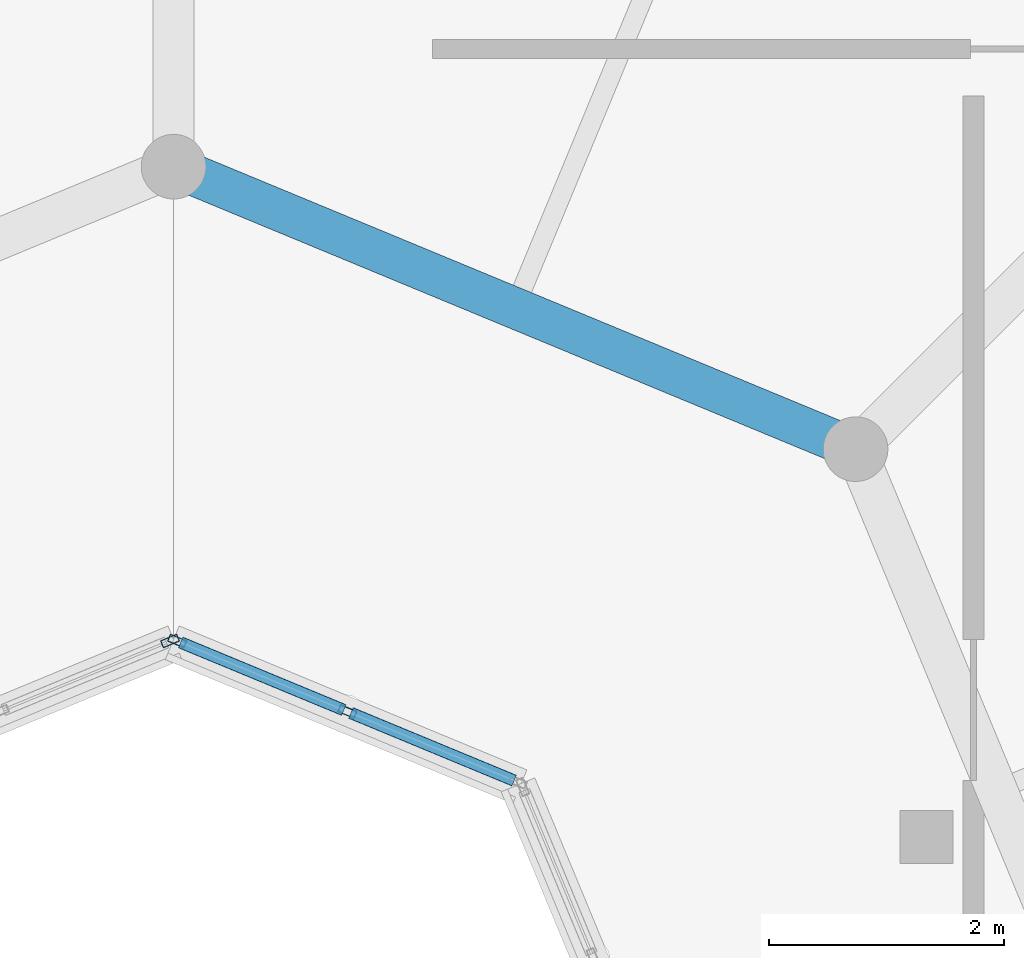
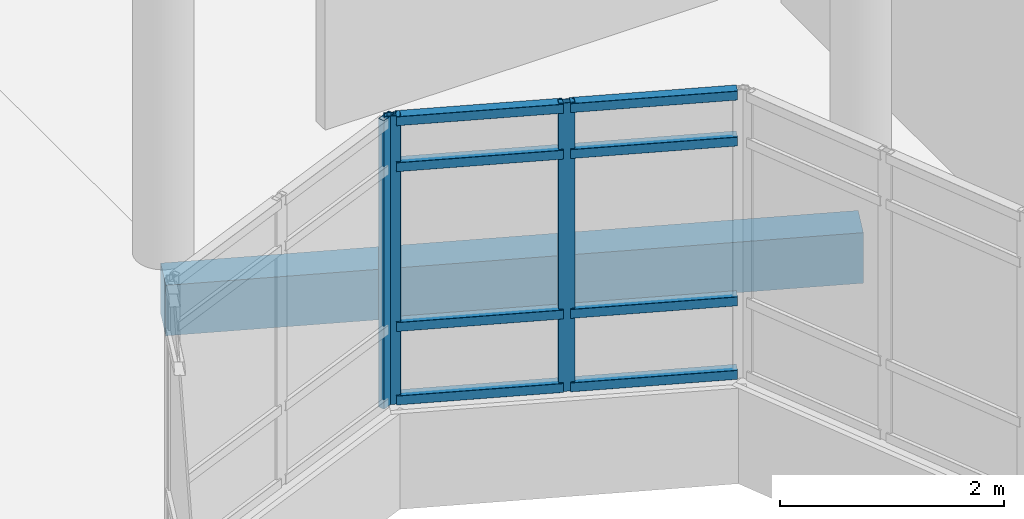
# One storey, part 82 of 128: 11 members, 1 beam, 2 elements without a shape of their own.
"""IFC4 building model written with IfcOpenShell, lengths in metres."""

from ifc_helpers import new_model, si_unit, direction, frame, origin, origin_2d, place, context, subcontext, project, spatial, rectangle, hollow_rectangle, extrude, material, layer, layer_set, material_profile, profile_set, type_object, element, aggregate, save


model = new_model("IFC4")

# Units and contexts
model_context = context("Model", 3, precision=1e-05, world=origin(), true_north=direction((0.0, 1.0)))
body_context = subcontext(model_context, "Body", "Model", "MODEL_VIEW")
ifc_project = project(units=[si_unit("LENGTHUNIT", "METRE"), si_unit("AREAUNIT", "SQUARE_METRE"), si_unit("VOLUMEUNIT", "CUBIC_METRE"), si_unit("PLANEANGLEUNIT", "RADIAN"), si_unit("MASSUNIT", "GRAM", prefix="KILO")], contexts=[model_context])

# Site, building, storey
site_placement = place(None, origin())
site = spatial("IfcSite", under=ifc_project, at=site_placement, CompositionType="ELEMENT")
building_placement = place(site_placement, origin())
building = spatial("IfcBuilding", under=site, at=building_placement, Name="Vespera Passage Community Centre", CompositionType="ELEMENT")
storey_placement = place(building_placement, frame((0.0, 0.0, 4.5)))
storey = spatial("IfcBuildingStorey", under=building, at=storey_placement, Name="L01", CompositionType="ELEMENT", Elevation=4.5)

# Beam
ifc_material_1 = material(Name="Concrete f'c 35 MPa", Category="concrete")
ifc_material_profile_1 = material_profile(ifc_material_1, rectangle(XDim=0.35009765625, YDim=0.550048828125, at=origin_2d()), Name="RC350X550")
ifc_profile_set_1 = profile_set([ifc_material_profile_1], Name="Concrete f'c 35 MPa")
beam_type = type_object("IfcBeamType", Name="BM-J-350X550", PredefinedType="JOIST", material=ifc_profile_set_1)
beam_placement = place(storey_placement, frame((146.79833984375, 30.79833984375, -0.514892578125), z_axis=(-0.92388740073, 0.382664436252, 0.0), x_axis=(-0.382664436252, -0.92388740073, 0.0)))
element("IfcBeam", 1, at=beam_placement, inside=storey, type_object=beam_type, Name="V3 L01 Inner Ring Beam 2", PredefinedType="JOIST", context=body_context, shape_type="SweptSolid", body=[
    extrude(rectangle(XDim=0.35009765625, YDim=0.550048828125, at=origin_2d()), origin(), (0.0, 0.0, 1.0), 6.276123046875),
])

# Curtain wall, members
ifc_material_2 = material(Name="Anodized aluminium 6063-T6", Category="aluminium")
ifc_layer = layer(ifc_material_2, 0.159912109375)
ifc_layer_set = layer_set([ifc_layer], Name="Anodized aluminium 6063-T6")
curtain_wall_type = type_object("IfcCurtainWallType", Name="CW-107E", PredefinedType="NOTDEFINED", material=ifc_layer_set)
curtain_wall_1_placement = place(storey_placement, origin())
curtain_wall_1 = element("IfcCurtainWall", 2, at=curtain_wall_1_placement, inside=storey, type_object=curtain_wall_type, Name="V3 L01 Inner Court Ribbon Curtain Wall 2", PredefinedType="NOTDEFINED")
ifc_material_3 = material(Name="Anodized aluminium 6063-T6", Category="aluminium")
ifc_material_profile_2 = material_profile(ifc_material_3, hollow_rectangle(XDim=0.06494140625, YDim=0.14990234375, WallThickness=0.00390625, InnerFilletRadius=0.001953125, OuterFilletRadius=0.00390625, at=origin_2d()), Name="ALU150X65X4")
ifc_profile_set_2 = profile_set([ifc_material_profile_2], Name="Anodized aluminium 6063-T6")
member_type_1 = type_object("IfcMemberType", Name="MB-CWM-150E", PredefinedType="MULLION", material=ifc_profile_set_2)
member_1_placement = place(storey_placement, frame((142.477783203125, 28.56787109375, 0.800048828125), z_axis=(0.0, 0.0, 1.0), x_axis=(-0.382685826549, -0.923878540804, 0.0)))
member_1 = element("IfcMember", 3, at=member_1_placement, type_object=member_type_1, Name="CW-107E mullion 2", PredefinedType="MULLION", context=body_context, shape_type="SweptSolid", body=[
    extrude(hollow_rectangle(XDim=0.06494140625, YDim=0.14990234375, WallThickness=0.00390625, InnerFilletRadius=0.001953125, OuterFilletRadius=0.00390625, at=origin_2d()), origin(), (0.0, 0.0, 1.0), 3.139892578125),
])
member_2_placement = place(storey_placement, frame((141.030029296875, 29.16748046875, 0.800048828125), z_axis=(0.0, 0.0, 1.0), x_axis=(-0.382685826549, -0.923878540804, 0.0)))
member_2 = element("IfcMember", 4, at=member_2_placement, type_object=member_type_1, Name="CW-107E mullion 3", PredefinedType="MULLION", context=body_context, shape_type="SweptSolid", body=[
    extrude(hollow_rectangle(XDim=0.06494140625, YDim=0.14990234375, WallThickness=0.00390625, InnerFilletRadius=0.001953125, OuterFilletRadius=0.00390625, at=origin_2d()), origin(), (0.0, 0.0, 1.0), 3.139892578125),
])

# Curtain wall, member
curtain_wall_2_placement = place(storey_placement, origin())
curtain_wall_2 = element("IfcCurtainWall", 5, at=curtain_wall_2_placement, inside=storey, type_object=curtain_wall_type, Name="V3 L01 Inner Court Ribbon Curtain Wall 3", PredefinedType="NOTDEFINED")
member_3_placement = place(storey_placement, frame((140.969970703125, 29.16748046875, 0.800048828125), z_axis=(0.0, 0.0, 1.0), x_axis=(0.382685826549, -0.923878540804, 0.0)))
member_3 = element("IfcMember", 6, at=member_3_placement, type_object=member_type_1, Name="CW-107E mullion 1", PredefinedType="MULLION", context=body_context, shape_type="SweptSolid", body=[
    extrude(hollow_rectangle(XDim=0.06494140625, YDim=0.14990234375, WallThickness=0.00390625, InnerFilletRadius=0.001953125, OuterFilletRadius=0.00390625, at=origin_2d()), origin(), (0.0, 0.0, 1.0), 3.139892578125),
])
aggregate(curtain_wall_2, [member_3])

# Member
ifc_material_4 = material(Name="Anodized aluminium 6063-T6", Category="aluminium")
ifc_material_profile_3 = material_profile(ifc_material_4, hollow_rectangle(XDim=0.10009765625, YDim=0.10009765625, WallThickness=0.00390625, InnerFilletRadius=0.001953125, OuterFilletRadius=0.00390625, at=origin_2d()), Name="ALU100X100X4")
ifc_profile_set_3 = profile_set([ifc_material_profile_3], Name="Anodized aluminium 6063-T6")
member_type_2 = type_object("IfcMemberType", Name="MB-CWT-100E", PredefinedType="USERDEFINED", material=ifc_profile_set_3)
member_4_placement = place(storey_placement, frame((143.895751953125, 27.98046875, 0.85009765625), z_axis=(-0.923868276622, 0.382710605355, 0.0), x_axis=(-0.382710605355, -0.923868276622, 0.0)))
member_4 = element("IfcMember", 7, at=member_4_placement, type_object=member_type_2, Name="CW-107E transom 1.1", ObjectType="TRANSOM", PredefinedType="USERDEFINED", context=body_context, shape_type="SweptSolid", body=[
    extrude(hollow_rectangle(XDim=0.10009765625, YDim=0.10009765625, WallThickness=0.00390625, InnerFilletRadius=0.001953125, OuterFilletRadius=0.00390625, at=origin_2d()), origin(), (0.0, 0.0, 1.0), 1.502197265625),
])

member_5_placement = place(storey_placement, frame((143.895751953125, 27.98046875, 1.64990234375), z_axis=(-0.923868276622, 0.382710605355, 0.0), x_axis=(-0.382710605355, -0.923868276622, 0.0)))
member_5 = element("IfcMember", 8, at=member_5_placement, type_object=member_type_2, Name="CW-107E transom 1.2", ObjectType="TRANSOM", PredefinedType="USERDEFINED", context=body_context, shape_type="SweptSolid", body=[
    extrude(hollow_rectangle(XDim=0.10009765625, YDim=0.10009765625, WallThickness=0.00390625, InnerFilletRadius=0.001953125, OuterFilletRadius=0.00390625, at=origin_2d()), origin(), (0.0, 0.0, 1.0), 1.502197265625),
])

member_6_placement = place(storey_placement, frame((143.895751953125, 27.98046875, 3.389892578125), z_axis=(-0.923868276622, 0.382710605355, 0.0), x_axis=(-0.382710605355, -0.923868276622, 0.0)))
member_6 = element("IfcMember", 9, at=member_6_placement, type_object=member_type_2, Name="CW-107E transom 1.3", ObjectType="TRANSOM", PredefinedType="USERDEFINED", context=body_context, shape_type="SweptSolid", body=[
    extrude(hollow_rectangle(XDim=0.10009765625, YDim=0.10009765625, WallThickness=0.00390625, InnerFilletRadius=0.001953125, OuterFilletRadius=0.00390625, at=origin_2d()), origin(), (0.0, 0.0, 1.0), 1.502197265625),
])

member_7_placement = place(storey_placement, frame((143.895751953125, 27.98046875, 3.889892578125), z_axis=(-0.923868276622, 0.382710605355, 0.0), x_axis=(-0.382710605355, -0.923868276622, 0.0)))
member_7 = element("IfcMember", 10, at=member_7_placement, type_object=member_type_2, Name="CW-107E transom 1.4", ObjectType="TRANSOM", PredefinedType="USERDEFINED", context=body_context, shape_type="SweptSolid", body=[
    extrude(hollow_rectangle(XDim=0.10009765625, YDim=0.10009765625, WallThickness=0.00390625, InnerFilletRadius=0.001953125, OuterFilletRadius=0.00390625, at=origin_2d()), origin(), (0.0, 0.0, 1.0), 1.502197265625),
])

member_8_placement = place(storey_placement, frame((142.44775390625, 28.580322265625, 0.85009765625), z_axis=(-0.923901937079, 0.382629338474, 0.0), x_axis=(-0.382629338474, -0.923901937079, 0.0)))
member_8 = element("IfcMember", 11, at=member_8_placement, type_object=member_type_2, Name="CW-107E transom 2.1", ObjectType="TRANSOM", PredefinedType="USERDEFINED", context=body_context, shape_type="SweptSolid", body=[
    extrude(hollow_rectangle(XDim=0.10009765625, YDim=0.10009765625, WallThickness=0.00390625, InnerFilletRadius=0.001953125, OuterFilletRadius=0.00390625, at=origin_2d()), origin(), (0.0, 0.0, 1.0), 1.501953125),
])

member_9_placement = place(storey_placement, frame((142.44775390625, 28.580322265625, 1.64990234375), z_axis=(-0.923901937079, 0.382629338474, 0.0), x_axis=(-0.382629338474, -0.923901937079, 0.0)))
member_9 = element("IfcMember", 12, at=member_9_placement, type_object=member_type_2, Name="CW-107E transom 2.2", ObjectType="TRANSOM", PredefinedType="USERDEFINED", context=body_context, shape_type="SweptSolid", body=[
    extrude(hollow_rectangle(XDim=0.10009765625, YDim=0.10009765625, WallThickness=0.00390625, InnerFilletRadius=0.001953125, OuterFilletRadius=0.00390625, at=origin_2d()), origin(), (0.0, 0.0, 1.0), 1.501953125),
])

member_10_placement = place(storey_placement, frame((142.44775390625, 28.580322265625, 3.389892578125), z_axis=(-0.923901937079, 0.382629338474, 0.0), x_axis=(-0.382629338474, -0.923901937079, 0.0)))
member_10 = element("IfcMember", 13, at=member_10_placement, type_object=member_type_2, Name="CW-107E transom 2.3", ObjectType="TRANSOM", PredefinedType="USERDEFINED", context=body_context, shape_type="SweptSolid", body=[
    extrude(hollow_rectangle(XDim=0.10009765625, YDim=0.10009765625, WallThickness=0.00390625, InnerFilletRadius=0.001953125, OuterFilletRadius=0.00390625, at=origin_2d()), origin(), (0.0, 0.0, 1.0), 1.501953125),
])

member_11_placement = place(storey_placement, frame((142.44775390625, 28.580322265625, 3.889892578125), z_axis=(-0.923901937079, 0.382629338474, 0.0), x_axis=(-0.382629338474, -0.923901937079, 0.0)))
member_11 = element("IfcMember", 14, at=member_11_placement, type_object=member_type_2, Name="CW-107E transom 2.4", ObjectType="TRANSOM", PredefinedType="USERDEFINED", context=body_context, shape_type="SweptSolid", body=[
    extrude(hollow_rectangle(XDim=0.10009765625, YDim=0.10009765625, WallThickness=0.00390625, InnerFilletRadius=0.001953125, OuterFilletRadius=0.00390625, at=origin_2d()), origin(), (0.0, 0.0, 1.0), 1.501953125),
])

aggregate(curtain_wall_1, [member_1, member_2, member_4, member_5, member_6, member_7, member_8, member_9, member_10, member_11])

save(model, "model.ifc")
